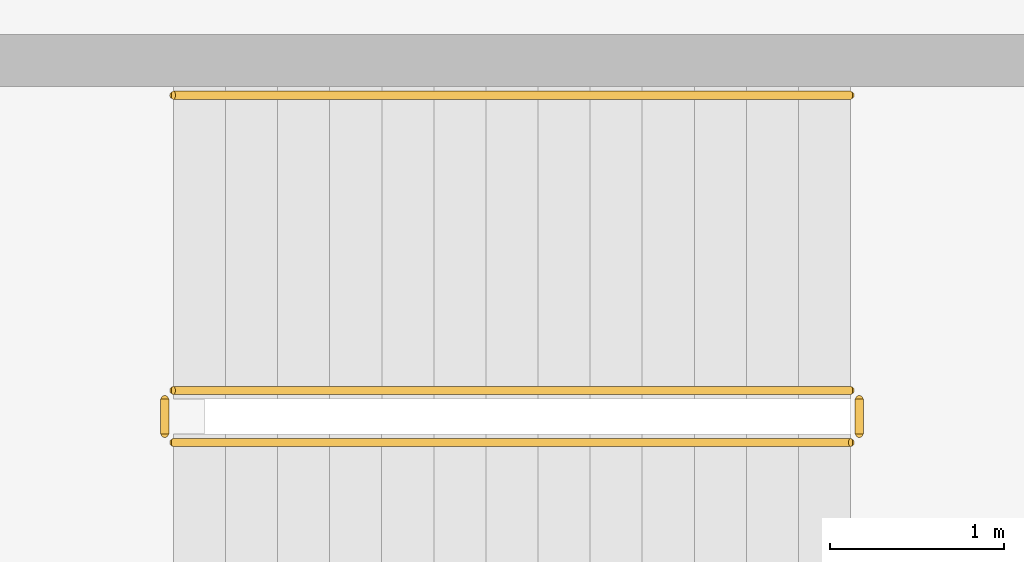
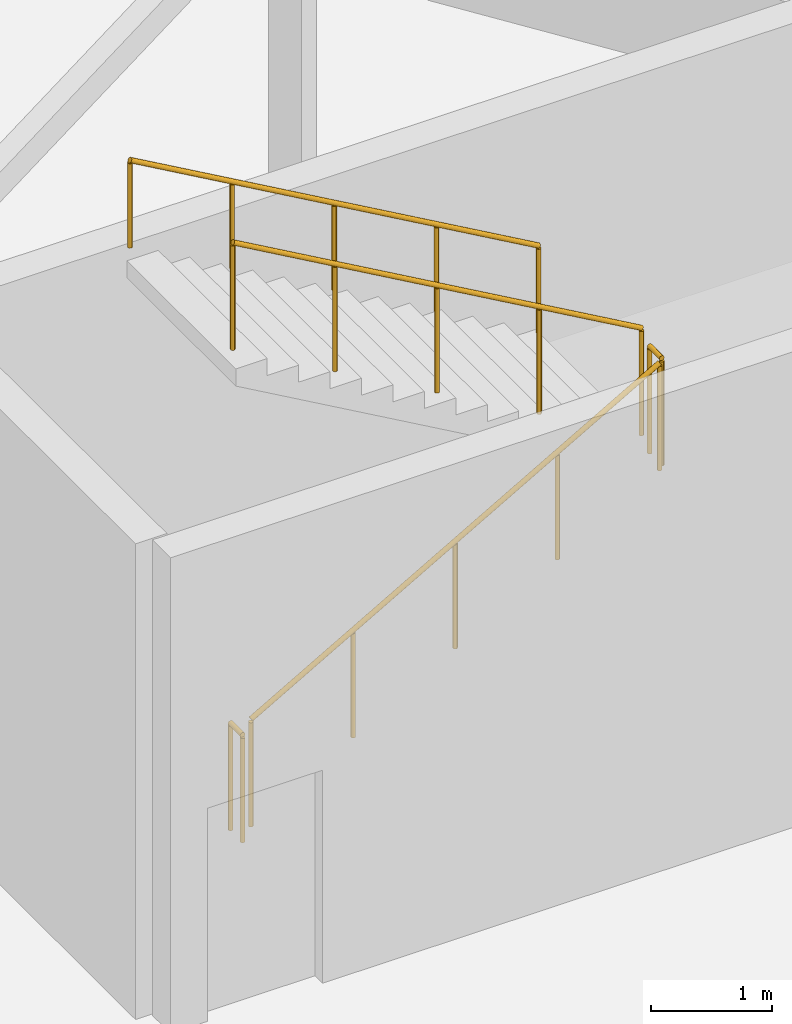
# One storey, part 168 of 186: 5 railings.
"""IFC4 building model written with IfcOpenShell, lengths in metres."""

from ifc_helpers import new_model, si_unit, direction, frame, origin, origin_2d, place, context, subcontext, project, spatial, circle, extrude, material, type_object, element, save


model = new_model("IFC4")

# Units and contexts
model_context = context("Model", 3, precision=1e-05, world=origin(), true_north=direction((0.0, 1.0)))
body_context = subcontext(model_context, "Body", "Model", "MODEL_VIEW")
ifc_project = project(units=[si_unit("LENGTHUNIT", "METRE"), si_unit("AREAUNIT", "SQUARE_METRE"), si_unit("VOLUMEUNIT", "CUBIC_METRE"), si_unit("PLANEANGLEUNIT", "RADIAN"), si_unit("MASSUNIT", "GRAM", prefix="KILO")], contexts=[model_context])

# Site, building, storey
site_placement = place(None, origin())
site = spatial("IfcSite", under=ifc_project, at=site_placement, CompositionType="ELEMENT")
building_placement = place(site_placement, origin())
building = spatial("IfcBuilding", under=site, at=building_placement, Name="Tarnwether General Hospital", CompositionType="ELEMENT")
storey_placement = place(building_placement, frame((0.0, 0.0, 9.60009765625)))
storey = spatial("IfcBuildingStorey", under=building, at=storey_placement, Name="L02", CompositionType="ELEMENT", Elevation=9.60009765625)

# Railings
ifc_material_1 = material(Name="Anodised aluminium", Category="aluminium")
railing_type_1 = type_object("IfcRailingType", Name="RL-GRD-INT", PredefinedType="GUARDRAIL", material=ifc_material_1)
railing_1_placement = place(storey_placement, frame((113.39990234375, 19.550048828125, 0.17138671875)))
element("IfcRailing", 1, at=railing_1_placement, inside=storey, type_object=railing_type_1, Name="L02 ST-10 stair guard 1", PredefinedType="GUARDRAIL", context=body_context, shape_type="SweptSolid", body=[
    extrude(circle(Radius=0.02392578125, at=origin_2d()), frame((0.0, 0.0, 1.076171875), z_axis=(0.868256520506, 0.0, 0.496115525457), x_axis=(0.0, 1.0, 0.0)), (0.0, 0.0, 1.0), 4.491943359375),
    extrude(circle(Radius=0.02099609375, at=origin_2d()), origin(), (0.0, 0.0, 1.0), 1.052001953125),
    extrude(circle(Radius=0.02099609375, at=origin_2d()), frame((0.97509765625, 0.0, 0.55712890625)), (0.0, 0.0, 1.0), 1.052001953125),
    extrude(circle(Radius=0.02099609375, at=origin_2d()), frame((1.9501953125, 0.0, 1.1142578125)), (0.0, 0.0, 1.0), 1.052001953125),
    extrude(circle(Radius=0.02099609375, at=origin_2d()), frame((2.925048828125, 0.0, 1.67138671875)), (0.0, 0.0, 1.0), 1.052001953125),
    extrude(circle(Radius=0.02099609375, at=origin_2d()), frame((3.900146484375, 0.0, 2.228515625)), (0.0, 0.0, 1.0), 1.052001953125),
])
railing_2_placement = place(storey_placement, frame((117.35009765625, 19.60009765625, 2.39990234375)))
element("IfcRailing", 2, at=railing_2_placement, inside=storey, type_object=railing_type_1, Name="L02 ST-10 stair guard 2", PredefinedType="GUARDRAIL", context=body_context, shape_type="SweptSolid", body=[
    extrude(circle(Radius=0.02392578125, at=origin_2d()), frame((0.0, 0.0, 1.076171875), z_axis=(0.0, 1.0, 0.0), x_axis=(-1.0, 0.0, 0.0)), (0.0, 0.0, 1.0), 0.199951171875),
    extrude(circle(Radius=0.02099609375, at=origin_2d()), origin(), (0.0, 0.0, 1.0), 1.052001953125),
    extrude(circle(Radius=0.02099609375, at=origin_2d()), frame((0.0, 0.199951171875, 0.0)), (0.0, 0.0, 1.0), 1.052001953125),
])
railing_3_placement = place(storey_placement, frame((117.300048828125, 19.85009765625, 2.5712890625)))
element("IfcRailing", 3, at=railing_3_placement, inside=storey, type_object=railing_type_1, Name="L02 ST-10 stair guard 3", PredefinedType="GUARDRAIL", context=body_context, shape_type="SweptSolid", body=[
    extrude(circle(Radius=0.02392578125, at=origin_2d()), frame((0.0, 0.0, 1.076171875), z_axis=(-0.868256520506, 0.0, 0.496115525457), x_axis=(0.0, -1.0, 0.0)), (0.0, 0.0, 1.0), 4.491943359375),
    extrude(circle(Radius=0.02099609375, at=origin_2d()), origin(), (0.0, 0.0, 1.0), 1.052001953125),
    extrude(circle(Radius=0.02099609375, at=origin_2d()), frame((-0.97509765625, 0.0, 0.55712890625)), (0.0, 0.0, 1.0), 1.052001953125),
    extrude(circle(Radius=0.02099609375, at=origin_2d()), frame((-1.9501953125, 0.0, 1.1142578125)), (0.0, 0.0, 1.0), 1.052001953125),
    extrude(circle(Radius=0.02099609375, at=origin_2d()), frame((-2.925048828125, 0.0, 1.67138671875)), (0.0, 0.0, 1.0), 1.052001953125),
    extrude(circle(Radius=0.02099609375, at=origin_2d()), frame((-3.900146484375, 0.0, 2.228515625)), (0.0, 0.0, 1.0), 1.052001953125),
])
railing_4_placement = place(storey_placement, frame((113.35009765625, 19.60009765625, 0.0)))
element("IfcRailing", 4, at=railing_4_placement, inside=storey, type_object=railing_type_1, Name="L02 ST-10 stair guard 4", PredefinedType="GUARDRAIL", context=body_context, shape_type="SweptSolid", body=[
    extrude(circle(Radius=0.02392578125, at=origin_2d()), frame((0.0, 0.0, 1.076171875), z_axis=(0.0, 1.0, 0.0), x_axis=(-1.0, 0.0, 0.0)), (0.0, 0.0, 1.0), 0.199951171875),
    extrude(circle(Radius=0.02099609375, at=origin_2d()), origin(), (0.0, 0.0, 1.0), 1.052001953125),
    extrude(circle(Radius=0.02099609375, at=origin_2d()), frame((0.0, 0.199951171875, 0.0)), (0.0, 0.0, 1.0), 1.052001953125),
])
ifc_material_2 = material(Name="Anodised aluminium", Category="aluminium")
railing_type_2 = type_object("IfcRailingType", Name="RL-HND-INT", PredefinedType="HANDRAIL", material=ifc_material_2)
railing_5_placement = place(storey_placement, frame((117.300048828125, 21.550048828125, 2.5712890625)))
element("IfcRailing", 5, at=railing_5_placement, inside=storey, type_object=railing_type_2, Name="L02 ST-10 stair handrail 2", PredefinedType="HANDRAIL", context=body_context, shape_type="SweptSolid", body=[
    extrude(circle(Radius=0.02392578125, at=origin_2d()), frame((0.0, 0.0, 0.8759765625), z_axis=(-0.868256520506, 0.0, 0.496115525457), x_axis=(0.0, -1.0, 0.0)), (0.0, 0.0, 1.0), 4.491943359375),
    extrude(circle(Radius=0.02099609375, at=origin_2d()), origin(), (0.0, 0.0, 1.0), 0.851806640625),
    extrude(circle(Radius=0.02099609375, at=origin_2d()), frame((-0.97509765625, 0.0, 0.55712890625)), (0.0, 0.0, 1.0), 0.851806640625),
    extrude(circle(Radius=0.02099609375, at=origin_2d()), frame((-1.9501953125, 0.0, 1.1142578125)), (0.0, 0.0, 1.0), 0.851806640625),
    extrude(circle(Radius=0.02099609375, at=origin_2d()), frame((-2.925048828125, 0.0, 1.67138671875)), (0.0, 0.0, 1.0), 0.851806640625),
    extrude(circle(Radius=0.02099609375, at=origin_2d()), frame((-3.900146484375, 0.0, 2.228515625)), (0.0, 0.0, 1.0), 0.851806640625),
])

save(model, "model.ifc")
